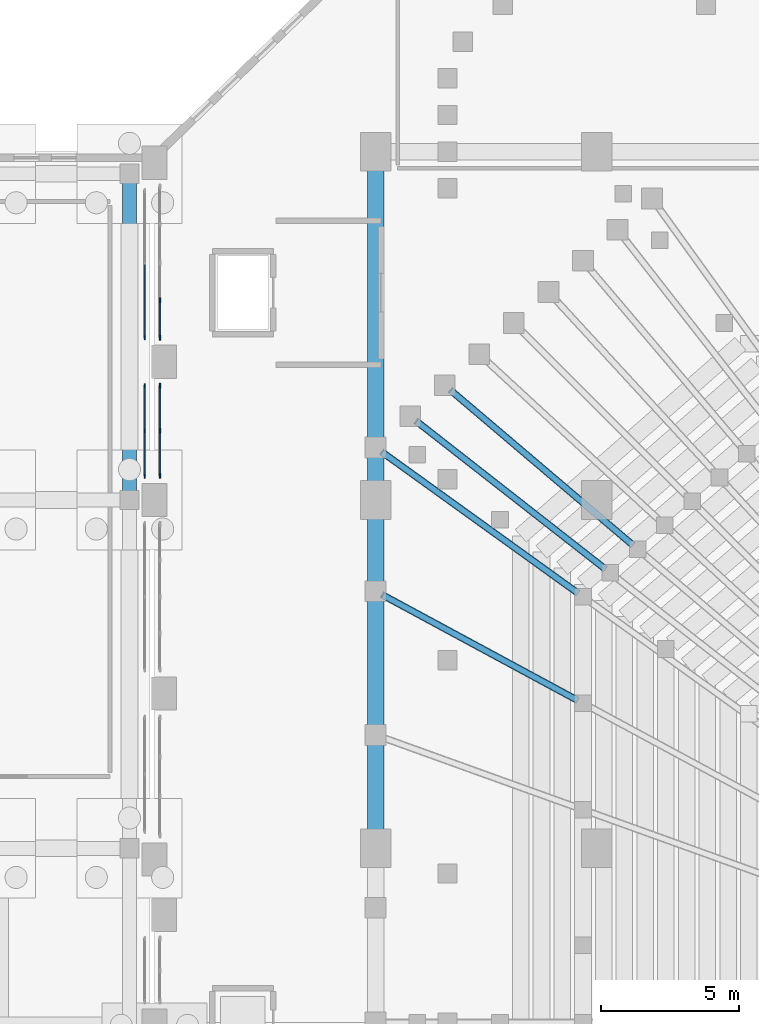
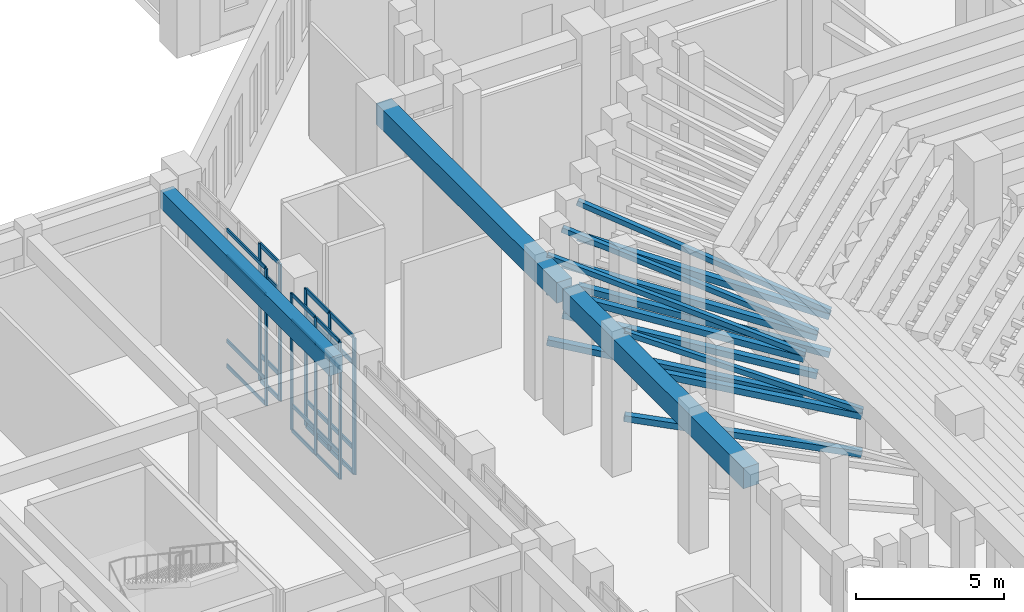
# One storey, part 43 of 143: 45 members, 3 beams, 4 elements without a shape of their own.
"""IFC4 building model written with IfcOpenShell, lengths in metres."""

from ifc_helpers import new_model, si_unit, derived_unit, direction, frame, origin, origin_2d, place, context, subcontext, project, spatial, rectangle, hollow_rectangle, extrude, material, layer, layer_set, material_profile, profile_set, type_object, element, aggregate, save


model = new_model("IFC4")

# Units and contexts
model_context = context("Model", 3, precision=1e-05, world=origin(), true_north=direction((0.0, 1.0)))
body_context = subcontext(model_context, "Body", "Model", "MODEL_VIEW")
ifc_project = project(units=[si_unit("LENGTHUNIT", "METRE"), si_unit("AREAUNIT", "SQUARE_METRE"), si_unit("VOLUMEUNIT", "CUBIC_METRE"), si_unit("PLANEANGLEUNIT", "RADIAN"), si_unit("MASSUNIT", "GRAM", prefix="KILO"), derived_unit("THERMALTRANSMITTANCEUNIT", [(si_unit("MASSUNIT", "GRAM", prefix="KILO"), 1), (si_unit("TIMEUNIT", "SECOND"), -3), (si_unit("THERMODYNAMICTEMPERATUREUNIT", "KELVIN"), -1)])], contexts=[model_context])

# Site, building, storey
site_placement = place(None, origin())
site = spatial("IfcSite", under=ifc_project, at=site_placement, CompositionType="ELEMENT")
building_placement = place(site_placement, origin())
building = spatial("IfcBuilding", under=site, at=building_placement, Name="Valcora Ridge Arena", CompositionType="ELEMENT")
storey_placement = place(building_placement, origin())
storey = spatial("IfcBuildingStorey", under=building, at=storey_placement, Name="L00", CompositionType="ELEMENT", Elevation=0.0)

# Beams
ifc_material_1 = material(Name="Concrete C40/50", Category="concrete")
ifc_material_profile_1 = material_profile(ifc_material_1, rectangle(XDim=0.5, YDim=0.75, at=origin_2d()), Name="RC 500x750")
ifc_profile_set_1 = profile_set([ifc_material_profile_1], Name="Concrete C40/50")
beam_type_1 = type_object("IfcBeamType", Name="TY-BEAM-B-RC500-Y", PredefinedType="BEAM", material=ifc_profile_set_1)
beam_placement = place(storey_placement, frame((15.10009765625, 83.199951171875, 5.264892578125), z_axis=(0.0, 1.0, 0.0), x_axis=(-1.0, 0.0, 0.0)))
element("IfcBeam", 1, at=beam_placement, inside=storey, type_object=beam_type_1, Name="B-RC500-Y BEM-B-RC500-Y-0023", PredefinedType="BEAM", context=body_context, shape_type="SweptSolid", body=[
    extrude(rectangle(XDim=0.5, YDim=0.75, at=origin_2d()), origin(), (0.0, 0.0, 1.0), 11.400146484375),
])
ifc_material_profile_2 = material_profile(ifc_material_1, rectangle(XDim=0.60009765625, YDim=0.85009765625, at=origin_2d()), Name="RC 600x850")
ifc_profile_set_2 = profile_set([ifc_material_profile_2], Name="Concrete C40/50")
beam_type_2 = type_object("IfcBeamType", Name="TY-BEAM-B-RC600-Y", PredefinedType="BEAM", material=ifc_profile_set_2)
for number, where, z_axis, x_axis, name in (
    (2, (24.0, 70.60009765625, 5.215087890625), (0.0, 1.0, 0.0), (-1.0, 0.0, 0.0), "B-RC600-Y BEM-B-RC600-Y-0004"),
    (3, (24.0, 83.199951171875, 5.215087890625), (0.0, 1.0, 0.0), (-1.0, 0.0, 0.0), "B-RC600-Y BEM-B-RC600-Y-0005"),
):
    element("IfcBeam", number, at=place(storey_placement, frame(where, z_axis=z_axis, x_axis=x_axis)), inside=storey, type_object=beam_type_2, Name=name, PredefinedType="BEAM", context=body_context, shape_type="SweptSolid", body=[
        extrude(rectangle(XDim=0.60009765625, YDim=0.85009765625, at=origin_2d()), origin(), (0.0, 0.0, 1.0), 12.199951171875),
    ])

# Curtain wall, members
ifc_material_2 = material(Name="Anodised dark bronze architectural aluminium 6063-T6", Category="aluminium")
ifc_layer_1 = layer(ifc_material_2, 0.14990234375, Name="Anodised dark bronze architectural aluminium 6063-T6")
ifc_layer_set_1 = layer_set([ifc_layer_1], Name="Anodised dark bronze architectural aluminium 6063-T6")
curtain_wall_type_1 = type_object("IfcCurtainWallType", Name="TY-CURTAINWALL-CW-V4-CLUB-033X56", PredefinedType="NOTDEFINED", material=ifc_layer_set_1)
curtain_wall_1_placement = place(storey_placement, origin())
curtain_wall_1 = element("IfcCurtainWall", 4, at=curtain_wall_1_placement, inside=storey, type_object=curtain_wall_type_1, Name="CW-V4-CLUB-033X56 CW-0202", PredefinedType="NOTDEFINED")
ifc_material_profile_3 = material_profile(ifc_material_2, rectangle(XDim=0.050048828125, YDim=0.14990234375, at=origin_2d()), Name="ALU MULLION 50x150")
ifc_profile_set_3 = profile_set([ifc_material_profile_3], Name="Anodised dark bronze architectural aluminium 6063-T6")
member_type_1 = type_object("IfcMemberType", Name="TY-MEM-CWM-50x150", PredefinedType="MULLION", material=ifc_profile_set_3)
member_1_placement = place(storey_placement, frame((15.64990234375, 83.864990234375, 0.0), z_axis=(0.0, 0.0, 1.0), x_axis=(-1.0, 0.0, 0.0)))
member_1 = element("IfcMember", 5, at=member_1_placement, type_object=member_type_1, Name="CW-0202/CWM-50x150/M00", PredefinedType="MULLION", context=body_context, shape_type="SweptSolid", body=[
    extrude(rectangle(XDim=0.050048828125, YDim=0.14990234375, at=origin_2d()), origin(), (0.0, 0.0, 1.0), 5.639892578125),
])
member_2_placement = place(storey_placement, frame((15.64990234375, 85.5, 0.0), z_axis=(0.0, 0.0, 1.0), x_axis=(-1.0, 0.0, 0.0)))
member_2 = element("IfcMember", 6, at=member_2_placement, type_object=member_type_1, Name="CW-0202/CWM-50x150/M01", PredefinedType="MULLION", context=body_context, shape_type="SweptSolid", body=[
    extrude(rectangle(XDim=0.050048828125, YDim=0.14990234375, at=origin_2d()), origin(), (0.0, 0.0, 1.0), 5.639892578125),
])
member_3_placement = place(storey_placement, frame((15.64990234375, 87.135009765625, 0.0), z_axis=(0.0, 0.0, 1.0), x_axis=(-1.0, 0.0, 0.0)))
member_3 = element("IfcMember", 7, at=member_3_placement, type_object=member_type_1, Name="CW-0202/CWM-50x150/M02", PredefinedType="MULLION", context=body_context, shape_type="SweptSolid", body=[
    extrude(rectangle(XDim=0.050048828125, YDim=0.14990234375, at=origin_2d()), origin(), (0.0, 0.0, 1.0), 5.639892578125),
])

# Curtain wall, member
ifc_layer_2 = layer(ifc_material_2, 0.14990234375, Name="Anodised dark bronze architectural aluminium 6063-T6")
ifc_layer_set_2 = layer_set([ifc_layer_2], Name="Anodised dark bronze architectural aluminium 6063-T6")
curtain_wall_type_2 = type_object("IfcCurtainWallType", Name="TY-CURTAINWALL-CW-V4-CLUB-054X56", PredefinedType="NOTDEFINED", material=ifc_layer_set_2)
curtain_wall_2_placement = place(storey_placement, origin())
curtain_wall_2 = element("IfcCurtainWall", 8, at=curtain_wall_2_placement, inside=storey, type_object=curtain_wall_type_2, Name="CW-V4-CLUB-054X56 CW-0203", PredefinedType="NOTDEFINED")
member_4_placement = place(storey_placement, frame((15.64990234375, 88.864990234375, 0.0), z_axis=(0.0, 0.0, 1.0), x_axis=(-1.0, 0.0, 0.0)))
member_4 = element("IfcMember", 9, at=member_4_placement, type_object=member_type_1, Name="CW-0203/CWM-50x150/M00", PredefinedType="MULLION", context=body_context, shape_type="SweptSolid", body=[
    extrude(rectangle(XDim=0.050048828125, YDim=0.14990234375, at=origin_2d()), origin(), (0.0, 0.0, 1.0), 5.639892578125),
])

# Curtain wall, members
ifc_layer_3 = layer(ifc_material_2, 0.179931640625, Name="Anodised dark bronze architectural aluminium 6063-T6")
ifc_layer_set_3 = layer_set([ifc_layer_3], Name="Anodised dark bronze architectural aluminium 6063-T6")
curtain_wall_type_3 = type_object("IfcCurtainWallType", Name="TY-CURTAINWALL-CW-V1-GOTH-033X56", PredefinedType="NOTDEFINED", material=ifc_layer_set_3)
curtain_wall_3_placement = place(storey_placement, origin())
curtain_wall_3 = element("IfcCurtainWall", 10, at=curtain_wall_3_placement, inside=storey, type_object=curtain_wall_type_3, Name="CW-V1-GOTH-033X56 CW-0086", PredefinedType="NOTDEFINED")
ifc_material_profile_4 = material_profile(ifc_material_2, rectangle(XDim=0.06005859375, YDim=0.179931640625, at=origin_2d()), Name="ALU MULLION 60x180")
ifc_profile_set_4 = profile_set([ifc_material_profile_4], Name="Anodised dark bronze architectural aluminium 6063-T6")
member_type_2 = type_object("IfcMemberType", Name="TY-MEM-CWM-60x180", PredefinedType="MULLION", material=ifc_profile_set_4)
member_5_placement = place(storey_placement, frame((16.199951171875, 83.8701171875, 0.0), z_axis=(0.0, 0.0, 1.0), x_axis=(-1.0, 0.0, 0.0)))
member_5 = element("IfcMember", 11, at=member_5_placement, type_object=member_type_2, Name="CW-0086/CWM-60x180/M00", PredefinedType="MULLION", context=body_context, shape_type="SweptSolid", body=[
    extrude(rectangle(XDim=0.06005859375, YDim=0.179931640625, at=origin_2d()), origin(), (0.0, 0.0, 1.0), 5.639892578125),
])
member_6_placement = place(storey_placement, frame((16.199951171875, 85.5, 0.0), z_axis=(0.0, 0.0, 1.0), x_axis=(-1.0, 0.0, 0.0)))
member_6 = element("IfcMember", 12, at=member_6_placement, type_object=member_type_2, Name="CW-0086/CWM-60x180/M01", PredefinedType="MULLION", context=body_context, shape_type="SweptSolid", body=[
    extrude(rectangle(XDim=0.06005859375, YDim=0.179931640625, at=origin_2d()), origin(), (0.0, 0.0, 1.0), 5.639892578125),
])
member_7_placement = place(storey_placement, frame((16.199951171875, 87.1298828125, 0.0), z_axis=(0.0, 0.0, 1.0), x_axis=(-1.0, 0.0, 0.0)))
member_7 = element("IfcMember", 13, at=member_7_placement, type_object=member_type_2, Name="CW-0086/CWM-60x180/M02", PredefinedType="MULLION", context=body_context, shape_type="SweptSolid", body=[
    extrude(rectangle(XDim=0.06005859375, YDim=0.179931640625, at=origin_2d()), origin(), (0.0, 0.0, 1.0), 5.639892578125),
])

ifc_layer_4 = layer(ifc_material_2, 0.179931640625, Name="Anodised dark bronze architectural aluminium 6063-T6")
ifc_layer_set_4 = layer_set([ifc_layer_4], Name="Anodised dark bronze architectural aluminium 6063-T6")
curtain_wall_type_4 = type_object("IfcCurtainWallType", Name="TY-CURTAINWALL-CW-V1-GOTH-055X56", PredefinedType="NOTDEFINED", material=ifc_layer_set_4)
curtain_wall_4_placement = place(storey_placement, origin())
curtain_wall_4 = element("IfcCurtainWall", 14, at=curtain_wall_4_placement, inside=storey, type_object=curtain_wall_type_4, Name="CW-V1-GOTH-055X56 CW-0087", PredefinedType="NOTDEFINED")
member_8_placement = place(storey_placement, frame((16.199951171875, 88.8701171875, 0.0), z_axis=(0.0, 0.0, 1.0), x_axis=(-1.0, 0.0, 0.0)))
member_8 = element("IfcMember", 15, at=member_8_placement, type_object=member_type_2, Name="CW-0087/CWM-60x180/M00", PredefinedType="MULLION", context=body_context, shape_type="SweptSolid", body=[
    extrude(rectangle(XDim=0.06005859375, YDim=0.179931640625, at=origin_2d()), origin(), (0.0, 0.0, 1.0), 5.639892578125),
])
member_9_placement = place(storey_placement, frame((16.199951171875, 90.219970703125, 0.0), z_axis=(0.0, 0.0, 1.0), x_axis=(-1.0, 0.0, 0.0)))
member_9 = element("IfcMember", 16, at=member_9_placement, type_object=member_type_2, Name="CW-0087/CWM-60x180/M01", PredefinedType="MULLION", context=body_context, shape_type="SweptSolid", body=[
    extrude(rectangle(XDim=0.06005859375, YDim=0.179931640625, at=origin_2d()), origin(), (0.0, 0.0, 1.0), 5.639892578125),
])

# Member
ifc_material_profile_5 = material_profile(ifc_material_2, rectangle(XDim=0.050048828125, YDim=0.14990234375, at=origin_2d()), Name="ALU TRANSOM 50x150")
ifc_profile_set_5 = profile_set([ifc_material_profile_5], Name="Anodised dark bronze architectural aluminium 6063-T6")
member_type_3 = type_object("IfcMemberType", Name="TY-MEM-CWT-50x150", PredefinedType="USERDEFINED", material=ifc_profile_set_5)
member_10_placement = place(storey_placement, frame((15.64990234375, 83.889892578125, 0.02490234375), z_axis=(0.0, 1.0, 0.0), x_axis=(-1.0, 0.0, 0.0)))
member_10 = element("IfcMember", 17, at=member_10_placement, type_object=member_type_3, Name="CW-0202/CWT-50x150/T00-00", ObjectType="TRANSOM", PredefinedType="USERDEFINED", context=body_context, shape_type="SweptSolid", body=[
    extrude(rectangle(XDim=0.050048828125, YDim=0.14990234375, at=origin_2d()), origin(), (0.0, 0.0, 1.0), 1.585205078125),
])

member_11_placement = place(storey_placement, frame((15.64990234375, 83.889892578125, 1.050048828125), z_axis=(0.0, 1.0, 0.0), x_axis=(-1.0, 0.0, 0.0)))
member_11 = element("IfcMember", 18, at=member_11_placement, type_object=member_type_3, Name="CW-0202/CWT-50x150/T00-01", ObjectType="TRANSOM", PredefinedType="USERDEFINED", context=body_context, shape_type="SweptSolid", body=[
    extrude(rectangle(XDim=0.050048828125, YDim=0.14990234375, at=origin_2d()), origin(), (0.0, 0.0, 1.0), 1.585205078125),
])

member_12_placement = place(storey_placement, frame((15.64990234375, 83.889892578125, 4.5400390625), z_axis=(0.0, 1.0, 0.0), x_axis=(-1.0, 0.0, 0.0)))
member_12 = element("IfcMember", 19, at=member_12_placement, type_object=member_type_3, Name="CW-0202/CWT-50x150/T00-02", ObjectType="TRANSOM", PredefinedType="USERDEFINED", context=body_context, shape_type="SweptSolid", body=[
    extrude(rectangle(XDim=0.050048828125, YDim=0.14990234375, at=origin_2d()), origin(), (0.0, 0.0, 1.0), 1.585205078125),
])

member_13_placement = place(storey_placement, frame((15.64990234375, 83.889892578125, 5.614990234375), z_axis=(0.0, 1.0, 0.0), x_axis=(-1.0, 0.0, 0.0)))
member_13 = element("IfcMember", 20, at=member_13_placement, type_object=member_type_3, Name="CW-0202/CWT-50x150/T00-03", ObjectType="TRANSOM", PredefinedType="USERDEFINED", context=body_context, shape_type="SweptSolid", body=[
    extrude(rectangle(XDim=0.050048828125, YDim=0.14990234375, at=origin_2d()), origin(), (0.0, 0.0, 1.0), 1.585205078125),
])

member_14_placement = place(storey_placement, frame((15.64990234375, 85.52490234375, 0.02490234375), z_axis=(0.0, 1.0, 0.0), x_axis=(-1.0, 0.0, 0.0)))
member_14 = element("IfcMember", 21, at=member_14_placement, type_object=member_type_3, Name="CW-0202/CWT-50x150/T01-00", ObjectType="TRANSOM", PredefinedType="USERDEFINED", context=body_context, shape_type="SweptSolid", body=[
    extrude(rectangle(XDim=0.050048828125, YDim=0.14990234375, at=origin_2d()), origin(), (0.0, 0.0, 1.0), 1.585205078125),
])

member_15_placement = place(storey_placement, frame((15.64990234375, 85.52490234375, 1.050048828125), z_axis=(0.0, 1.0, 0.0), x_axis=(-1.0, 0.0, 0.0)))
member_15 = element("IfcMember", 22, at=member_15_placement, type_object=member_type_3, Name="CW-0202/CWT-50x150/T01-01", ObjectType="TRANSOM", PredefinedType="USERDEFINED", context=body_context, shape_type="SweptSolid", body=[
    extrude(rectangle(XDim=0.050048828125, YDim=0.14990234375, at=origin_2d()), origin(), (0.0, 0.0, 1.0), 1.585205078125),
])

member_16_placement = place(storey_placement, frame((15.64990234375, 85.52490234375, 4.5400390625), z_axis=(0.0, 1.0, 0.0), x_axis=(-1.0, 0.0, 0.0)))
member_16 = element("IfcMember", 23, at=member_16_placement, type_object=member_type_3, Name="CW-0202/CWT-50x150/T01-02", ObjectType="TRANSOM", PredefinedType="USERDEFINED", context=body_context, shape_type="SweptSolid", body=[
    extrude(rectangle(XDim=0.050048828125, YDim=0.14990234375, at=origin_2d()), origin(), (0.0, 0.0, 1.0), 1.585205078125),
])

member_17_placement = place(storey_placement, frame((15.64990234375, 85.52490234375, 5.614990234375), z_axis=(0.0, 1.0, 0.0), x_axis=(-1.0, 0.0, 0.0)))
member_17 = element("IfcMember", 24, at=member_17_placement, type_object=member_type_3, Name="CW-0202/CWT-50x150/T01-03", ObjectType="TRANSOM", PredefinedType="USERDEFINED", context=body_context, shape_type="SweptSolid", body=[
    extrude(rectangle(XDim=0.050048828125, YDim=0.14990234375, at=origin_2d()), origin(), (0.0, 0.0, 1.0), 1.585205078125),
])

aggregate(curtain_wall_1, [member_1, member_2, member_3, member_10, member_11, member_12, member_13, member_14, member_15, member_16, member_17])

member_18_placement = place(storey_placement, frame((15.64990234375, 88.889892578125, 0.02490234375), z_axis=(0.0, 1.0, 0.0), x_axis=(-1.0, 0.0, 0.0)))
member_18 = element("IfcMember", 25, at=member_18_placement, type_object=member_type_3, Name="CW-0203/CWT-50x150/T00-00", ObjectType="TRANSOM", PredefinedType="USERDEFINED", context=body_context, shape_type="SweptSolid", body=[
    extrude(rectangle(XDim=0.050048828125, YDim=0.14990234375, at=origin_2d()), origin(), (0.0, 0.0, 1.0), 2.610107421875),
])

member_19_placement = place(storey_placement, frame((15.64990234375, 88.889892578125, 1.050048828125), z_axis=(0.0, 1.0, 0.0), x_axis=(-1.0, 0.0, 0.0)))
member_19 = element("IfcMember", 26, at=member_19_placement, type_object=member_type_3, Name="CW-0203/CWT-50x150/T00-01", ObjectType="TRANSOM", PredefinedType="USERDEFINED", context=body_context, shape_type="SweptSolid", body=[
    extrude(rectangle(XDim=0.050048828125, YDim=0.14990234375, at=origin_2d()), origin(), (0.0, 0.0, 1.0), 2.610107421875),
])

member_20_placement = place(storey_placement, frame((15.64990234375, 88.889892578125, 4.5400390625), z_axis=(0.0, 1.0, 0.0), x_axis=(-1.0, 0.0, 0.0)))
member_20 = element("IfcMember", 27, at=member_20_placement, type_object=member_type_3, Name="CW-0203/CWT-50x150/T00-02", ObjectType="TRANSOM", PredefinedType="USERDEFINED", context=body_context, shape_type="SweptSolid", body=[
    extrude(rectangle(XDim=0.050048828125, YDim=0.14990234375, at=origin_2d()), origin(), (0.0, 0.0, 1.0), 2.610107421875),
])

member_21_placement = place(storey_placement, frame((15.64990234375, 88.889892578125, 5.614990234375), z_axis=(0.0, 1.0, 0.0), x_axis=(-1.0, 0.0, 0.0)))
member_21 = element("IfcMember", 28, at=member_21_placement, type_object=member_type_3, Name="CW-0203/CWT-50x150/T00-03", ObjectType="TRANSOM", PredefinedType="USERDEFINED", context=body_context, shape_type="SweptSolid", body=[
    extrude(rectangle(XDim=0.050048828125, YDim=0.14990234375, at=origin_2d()), origin(), (0.0, 0.0, 1.0), 2.610107421875),
])

aggregate(curtain_wall_2, [member_4, member_18, member_19, member_20, member_21])

ifc_material_profile_6 = material_profile(ifc_material_2, rectangle(XDim=0.06005859375, YDim=0.179931640625, at=origin_2d()), Name="ALU TRANSOM 60x180")
ifc_profile_set_6 = profile_set([ifc_material_profile_6], Name="Anodised dark bronze architectural aluminium 6063-T6")
member_type_4 = type_object("IfcMemberType", Name="TY-MEM-CWT-60x180", PredefinedType="USERDEFINED", material=ifc_profile_set_6)
member_22_placement = place(storey_placement, frame((16.199951171875, 83.89990234375, 0.030029296875), z_axis=(0.0, 1.0, 0.0), x_axis=(-1.0, 0.0, 0.0)))
member_22 = element("IfcMember", 29, at=member_22_placement, type_object=member_type_4, Name="CW-0086/CWT-60x180/T00-00", ObjectType="TRANSOM", PredefinedType="USERDEFINED", context=body_context, shape_type="SweptSolid", body=[
    extrude(rectangle(XDim=0.06005859375, YDim=0.179931640625, at=origin_2d()), origin(), (0.0, 0.0, 1.0), 1.570068359375),
])

member_23_placement = place(storey_placement, frame((16.199951171875, 83.89990234375, 1.050048828125), z_axis=(0.0, 1.0, 0.0), x_axis=(-1.0, 0.0, 0.0)))
member_23 = element("IfcMember", 30, at=member_23_placement, type_object=member_type_4, Name="CW-0086/CWT-60x180/T00-01", ObjectType="TRANSOM", PredefinedType="USERDEFINED", context=body_context, shape_type="SweptSolid", body=[
    extrude(rectangle(XDim=0.06005859375, YDim=0.179931640625, at=origin_2d()), origin(), (0.0, 0.0, 1.0), 1.570068359375),
])

member_24_placement = place(storey_placement, frame((16.199951171875, 83.89990234375, 4.5400390625), z_axis=(0.0, 1.0, 0.0), x_axis=(-1.0, 0.0, 0.0)))
member_24 = element("IfcMember", 31, at=member_24_placement, type_object=member_type_4, Name="CW-0086/CWT-60x180/T00-02", ObjectType="TRANSOM", PredefinedType="USERDEFINED", context=body_context, shape_type="SweptSolid", body=[
    extrude(rectangle(XDim=0.06005859375, YDim=0.179931640625, at=origin_2d()), origin(), (0.0, 0.0, 1.0), 1.570068359375),
])

member_25_placement = place(storey_placement, frame((16.199951171875, 83.89990234375, 5.610107421875), z_axis=(0.0, 1.0, 0.0), x_axis=(-1.0, 0.0, 0.0)))
member_25 = element("IfcMember", 32, at=member_25_placement, type_object=member_type_4, Name="CW-0086/CWT-60x180/T00-03", ObjectType="TRANSOM", PredefinedType="USERDEFINED", context=body_context, shape_type="SweptSolid", body=[
    extrude(rectangle(XDim=0.06005859375, YDim=0.179931640625, at=origin_2d()), origin(), (0.0, 0.0, 1.0), 1.570068359375),
])

member_26_placement = place(storey_placement, frame((16.199951171875, 85.530029296875, 0.030029296875), z_axis=(0.0, 1.0, 0.0), x_axis=(-1.0, 0.0, 0.0)))
member_26 = element("IfcMember", 33, at=member_26_placement, type_object=member_type_4, Name="CW-0086/CWT-60x180/T01-00", ObjectType="TRANSOM", PredefinedType="USERDEFINED", context=body_context, shape_type="SweptSolid", body=[
    extrude(rectangle(XDim=0.06005859375, YDim=0.179931640625, at=origin_2d()), origin(), (0.0, 0.0, 1.0), 1.570068359375),
])

member_27_placement = place(storey_placement, frame((16.199951171875, 85.530029296875, 1.050048828125), z_axis=(0.0, 1.0, 0.0), x_axis=(-1.0, 0.0, 0.0)))
member_27 = element("IfcMember", 34, at=member_27_placement, type_object=member_type_4, Name="CW-0086/CWT-60x180/T01-01", ObjectType="TRANSOM", PredefinedType="USERDEFINED", context=body_context, shape_type="SweptSolid", body=[
    extrude(rectangle(XDim=0.06005859375, YDim=0.179931640625, at=origin_2d()), origin(), (0.0, 0.0, 1.0), 1.570068359375),
])

member_28_placement = place(storey_placement, frame((16.199951171875, 85.530029296875, 4.5400390625), z_axis=(0.0, 1.0, 0.0), x_axis=(-1.0, 0.0, 0.0)))
member_28 = element("IfcMember", 35, at=member_28_placement, type_object=member_type_4, Name="CW-0086/CWT-60x180/T01-02", ObjectType="TRANSOM", PredefinedType="USERDEFINED", context=body_context, shape_type="SweptSolid", body=[
    extrude(rectangle(XDim=0.06005859375, YDim=0.179931640625, at=origin_2d()), origin(), (0.0, 0.0, 1.0), 1.570068359375),
])

member_29_placement = place(storey_placement, frame((16.199951171875, 85.530029296875, 5.610107421875), z_axis=(0.0, 1.0, 0.0), x_axis=(-1.0, 0.0, 0.0)))
member_29 = element("IfcMember", 36, at=member_29_placement, type_object=member_type_4, Name="CW-0086/CWT-60x180/T01-03", ObjectType="TRANSOM", PredefinedType="USERDEFINED", context=body_context, shape_type="SweptSolid", body=[
    extrude(rectangle(XDim=0.06005859375, YDim=0.179931640625, at=origin_2d()), origin(), (0.0, 0.0, 1.0), 1.570068359375),
])

aggregate(curtain_wall_3, [member_5, member_6, member_7, member_22, member_23, member_24, member_25, member_26, member_27, member_28, member_29])

member_30_placement = place(storey_placement, frame((16.199951171875, 88.89990234375, 0.030029296875), z_axis=(0.0, 1.0, 0.0), x_axis=(-1.0, 0.0, 0.0)))
member_30 = element("IfcMember", 37, at=member_30_placement, type_object=member_type_4, Name="CW-0087/CWT-60x180/T00-00", ObjectType="TRANSOM", PredefinedType="USERDEFINED", context=body_context, shape_type="SweptSolid", body=[
    extrude(rectangle(XDim=0.06005859375, YDim=0.179931640625, at=origin_2d()), origin(), (0.0, 0.0, 1.0), 1.2900390625),
])

member_31_placement = place(storey_placement, frame((16.199951171875, 88.89990234375, 1.050048828125), z_axis=(0.0, 1.0, 0.0), x_axis=(-1.0, 0.0, 0.0)))
member_31 = element("IfcMember", 38, at=member_31_placement, type_object=member_type_4, Name="CW-0087/CWT-60x180/T00-01", ObjectType="TRANSOM", PredefinedType="USERDEFINED", context=body_context, shape_type="SweptSolid", body=[
    extrude(rectangle(XDim=0.06005859375, YDim=0.179931640625, at=origin_2d()), origin(), (0.0, 0.0, 1.0), 1.2900390625),
])

member_32_placement = place(storey_placement, frame((16.199951171875, 88.89990234375, 4.5400390625), z_axis=(0.0, 1.0, 0.0), x_axis=(-1.0, 0.0, 0.0)))
member_32 = element("IfcMember", 39, at=member_32_placement, type_object=member_type_4, Name="CW-0087/CWT-60x180/T00-02", ObjectType="TRANSOM", PredefinedType="USERDEFINED", context=body_context, shape_type="SweptSolid", body=[
    extrude(rectangle(XDim=0.06005859375, YDim=0.179931640625, at=origin_2d()), origin(), (0.0, 0.0, 1.0), 1.2900390625),
])

member_33_placement = place(storey_placement, frame((16.199951171875, 88.89990234375, 5.610107421875), z_axis=(0.0, 1.0, 0.0), x_axis=(-1.0, 0.0, 0.0)))
member_33 = element("IfcMember", 40, at=member_33_placement, type_object=member_type_4, Name="CW-0087/CWT-60x180/T00-03", ObjectType="TRANSOM", PredefinedType="USERDEFINED", context=body_context, shape_type="SweptSolid", body=[
    extrude(rectangle(XDim=0.06005859375, YDim=0.179931640625, at=origin_2d()), origin(), (0.0, 0.0, 1.0), 1.2900390625),
])

aggregate(curtain_wall_4, [member_8, member_9, member_30, member_31, member_32, member_33])

# Members
ifc_material_3 = material(Name="Steel ASTM A500 Grade C", Category="steel")
ifc_material_profile_7 = material_profile(ifc_material_3, hollow_rectangle(XDim=0.25, YDim=0.25, WallThickness=0.012451171875, at=origin_2d()), Name="HSS250X250X12")
ifc_profile_set_7 = profile_set([ifc_material_profile_7], Name="Steel ASTM A500 Grade C")
member_type_5 = type_object("IfcMemberType", Name="TY-MEMBER-RKRC-252", PredefinedType="CHORD", material=ifc_profile_set_7)
member_34_placement = place(storey_placement, frame((33.297607421875, 81.375732421875, 2.05859375), z_axis=(-0.739162342875, 0.627884115001, 0.243722319464), x_axis=(-0.647406626108, -0.762144776582, 0.0)))
element("IfcMember", 41, at=member_34_placement, inside=storey, type_object=member_type_5, Name="RKRC-252 MBR-RK-RKRC-252-0045", PredefinedType="CHORD", context=body_context, shape_type="SweptSolid", body=[
    extrude(hollow_rectangle(XDim=0.25, YDim=0.25, WallThickness=0.012451171875, at=origin_2d()), origin(), (0.0, 0.0, 1.0), 8.916259765625),
])
member_35_placement = place(storey_placement, frame((32.30419921875, 80.506103515625, 2.058349609375), z_axis=(-0.764038144447, 0.597748451933, 0.242780769506), x_axis=(-0.616183947868, -0.787602274241, 0.0)))
element("IfcMember", 42, at=member_35_placement, inside=storey, type_object=member_type_5, Name="RKRC-252 MBR-RK-RKRC-252-0046", PredefinedType="CHORD", context=body_context, shape_type="SweptSolid", body=[
    extrude(hollow_rectangle(XDim=0.25, YDim=0.25, WallThickness=0.012451171875, at=origin_2d()), origin(), (0.0, 0.0, 1.0), 8.952880859375),
])
member_36_placement = place(storey_placement, frame((31.31103515625, 79.635986328125, 2.05810546875), z_axis=(-0.787514994452, 0.567011880625, 0.241490498247), x_axis=(-0.584305461948, -0.811533811457, 0.0)))
element("IfcMember", 43, at=member_36_placement, inside=storey, type_object=member_type_5, Name="RKRC-252 MBR-RK-RKRC-252-0047", PredefinedType="CHORD", context=body_context, shape_type="SweptSolid", body=[
    extrude(hollow_rectangle(XDim=0.25, YDim=0.25, WallThickness=0.012451171875, at=origin_2d()), origin(), (0.0, 0.0, 1.0), 9.003662109375),
])
member_37_placement = place(storey_placement, frame((31.296142578125, 75.760009765625, 2.0625), z_axis=(-0.8495205311, 0.458742849833, 0.260518454178), x_axis=(-0.475150328559, -0.87990463419, 0.0)))
element("IfcMember", 44, at=member_37_placement, inside=storey, type_object=member_type_5, Name="RKRC-252 MBR-RK-RKRC-252-0048", PredefinedType="CHORD", context=body_context, shape_type="SweptSolid", body=[
    extrude(hollow_rectangle(XDim=0.25, YDim=0.25, WallThickness=0.012451171875, at=origin_2d()), origin(), (0.0, 0.0, 1.0), 8.30859375),
])
ifc_material_profile_8 = material_profile(ifc_material_3, hollow_rectangle(XDim=0.25, YDim=0.25, WallThickness=0.012451171875, at=origin_2d()), Name="HSS250X250X12")
ifc_profile_set_8 = profile_set([ifc_material_profile_8], Name="Steel ASTM A500 Grade C")
member_type_6 = type_object("IfcMemberType", Name="TY-MEMBER-RKRC-255", PredefinedType="CHORD", material=ifc_profile_set_8)
member_38_placement = place(storey_placement, frame((33.29541015625, 81.377685546875, 0.4951171875), z_axis=(-0.748581628324, 0.635885057699, 0.187818367396), x_axis=(-0.647406446763, -0.762144928927, 0.0)))
element("IfcMember", 45, at=member_38_placement, inside=storey, type_object=member_type_6, Name="RKRC-255 MBR-RK-RKRC-255-0045", PredefinedType="CHORD", context=body_context, shape_type="SweptSolid", body=[
    extrude(hollow_rectangle(XDim=0.25, YDim=0.25, WallThickness=0.012451171875, at=origin_2d()), origin(), (0.0, 0.0, 1.0), 8.797607421875),
])
member_39_placement = place(storey_placement, frame((32.3017578125, 80.5078125, 0.494873046875), z_axis=(-0.773690058732, 0.605311535038, 0.187087248549), x_axis=(-0.616191441722, -0.787596411335, 0.0)))
element("IfcMember", 46, at=member_39_placement, inside=storey, type_object=member_type_6, Name="RKRC-255 MBR-RK-RKRC-255-0046", PredefinedType="CHORD", context=body_context, shape_type="SweptSolid", body=[
    extrude(hollow_rectangle(XDim=0.25, YDim=0.25, WallThickness=0.012451171875, at=origin_2d()), origin(), (0.0, 0.0, 1.0), 8.83447265625),
])
member_40_placement = place(storey_placement, frame((31.30859375, 79.6376953125, 0.49462890625), z_axis=(-0.797352064802, 0.57411766466, 0.186060720955), x_axis=(-0.584320932062, -0.81152267273, 0.0)))
element("IfcMember", 47, at=member_40_placement, inside=storey, type_object=member_type_6, Name="RKRC-255 MBR-RK-RKRC-255-0047", PredefinedType="CHORD", context=body_context, shape_type="SweptSolid", body=[
    extrude(hollow_rectangle(XDim=0.25, YDim=0.25, WallThickness=0.012451171875, at=origin_2d()), origin(), (0.0, 0.0, 1.0), 8.885986328125),
])
member_41_placement = place(storey_placement, frame((31.293212890625, 75.76171875, 0.498291015625), z_axis=(-0.861936544086, 0.465418877553, 0.201123500334), x_axis=(-0.475127687835, -0.879916859852, 0.0)))
element("IfcMember", 48, at=member_41_placement, inside=storey, type_object=member_type_6, Name="RKRC-255 MBR-RK-RKRC-255-0048", PredefinedType="CHORD", context=body_context, shape_type="SweptSolid", body=[
    extrude(hollow_rectangle(XDim=0.25, YDim=0.25, WallThickness=0.012451171875, at=origin_2d()), origin(), (0.0, 0.0, 1.0), 8.181640625),
])
ifc_material_profile_9 = material_profile(ifc_material_3, hollow_rectangle(XDim=0.199951171875, YDim=0.199951171875, WallThickness=0.012451171875, at=origin_2d()), Name="HSS200X200X12")
ifc_profile_set_9 = profile_set([ifc_material_profile_9], Name="Steel ASTM A500 Grade C")
member_type_7 = type_object("IfcMemberType", Name="TY-MEMBER-RKRD-202", PredefinedType="BRACE", material=ifc_profile_set_9)
member_42_placement = place(storey_placement, frame((33.3046875, 81.36962890625, 2.23779296875), z_axis=(-0.709248372862, 0.602464017526, 0.36606536736), x_axis=(-0.64740065391, -0.762149849647, 0.0)))
element("IfcMember", 49, at=member_42_placement, inside=storey, type_object=member_type_7, Name="RKRD-202 Raker Diagonal Brace", PredefinedType="BRACE", context=body_context, shape_type="SweptSolid", body=[
    extrude(hollow_rectangle(XDim=0.199951171875, YDim=0.199951171875, WallThickness=0.012451171875, at=origin_2d()), origin(), (0.0, 0.0, 1.0), 9.314453125),
])
member_43_placement = place(storey_placement, frame((32.3115234375, 80.500244140625, 2.237548828125), z_axis=(-0.733320930048, 0.573746660792, 0.364767299499), x_axis=(-0.616203901371, -0.787586663126, 0.0)))
element("IfcMember", 50, at=member_43_placement, inside=storey, type_object=member_type_7, Name="RKRD-202 Raker Diagonal Brace", PredefinedType="BRACE", context=body_context, shape_type="SweptSolid", body=[
    extrude(hollow_rectangle(XDim=0.199951171875, YDim=0.199951171875, WallThickness=0.012451171875, at=origin_2d()), origin(), (0.0, 0.0, 1.0), 9.349609375),
])
member_44_placement = place(storey_placement, frame((31.318603515625, 79.630615234375, 2.237060546875), z_axis=(-0.756188968003, 0.544450861573, 0.362975900031), x_axis=(-0.584301053778, -0.811536985327, 0.0)))
element("IfcMember", 51, at=member_44_placement, inside=storey, type_object=member_type_7, Name="RKRD-202 Raker Diagonal Brace", PredefinedType="BRACE", context=body_context, shape_type="SweptSolid", body=[
    extrude(hollow_rectangle(XDim=0.199951171875, YDim=0.199951171875, WallThickness=0.012451171875, at=origin_2d()), origin(), (0.0, 0.0, 1.0), 9.3984375),
])
member_45_placement = place(storey_placement, frame((31.305419921875, 75.755126953125, 2.243408203125), z_axis=(-0.810573016604, 0.437703278307, 0.389085112685), x_axis=(-0.475143745342, -0.87990818911, 0.0)))
element("IfcMember", 52, at=member_45_placement, inside=storey, type_object=member_type_7, Name="RKRD-202 Raker Diagonal Brace", PredefinedType="BRACE", context=body_context, shape_type="SweptSolid", body=[
    extrude(hollow_rectangle(XDim=0.199951171875, YDim=0.199951171875, WallThickness=0.012451171875, at=origin_2d()), origin(), (0.0, 0.0, 1.0), 8.732666015625),
])

save(model, "model.ifc")
